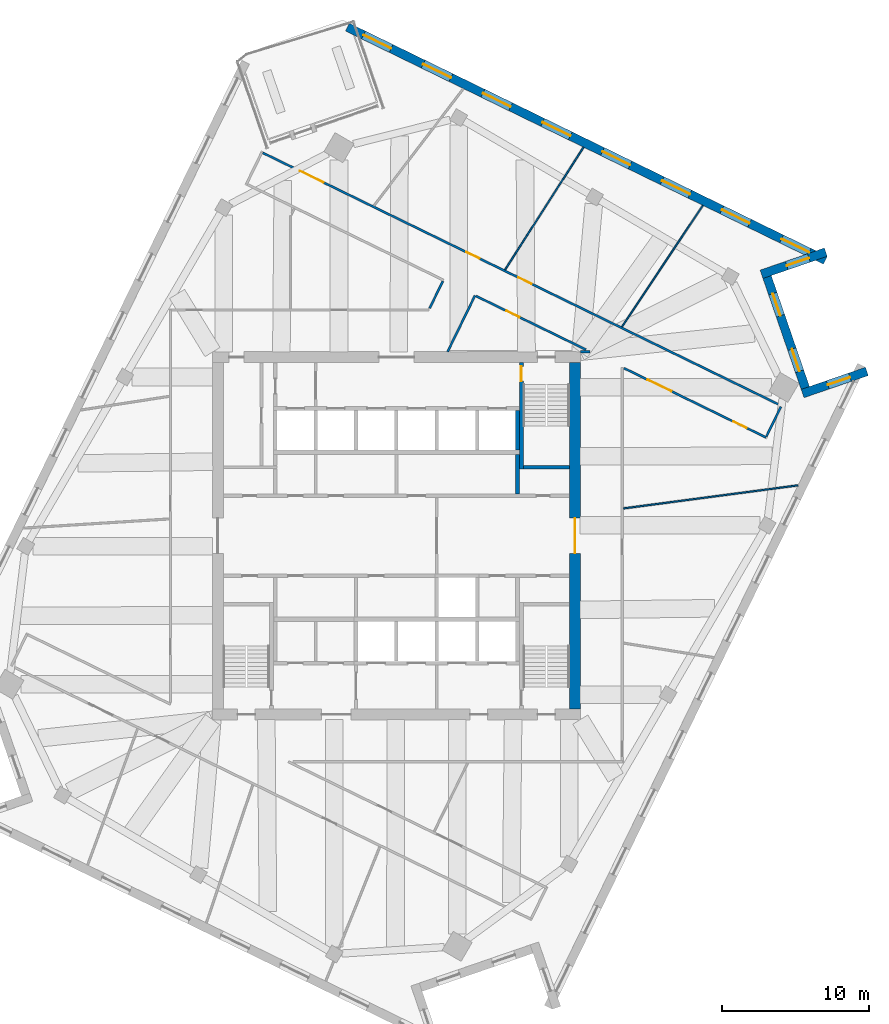
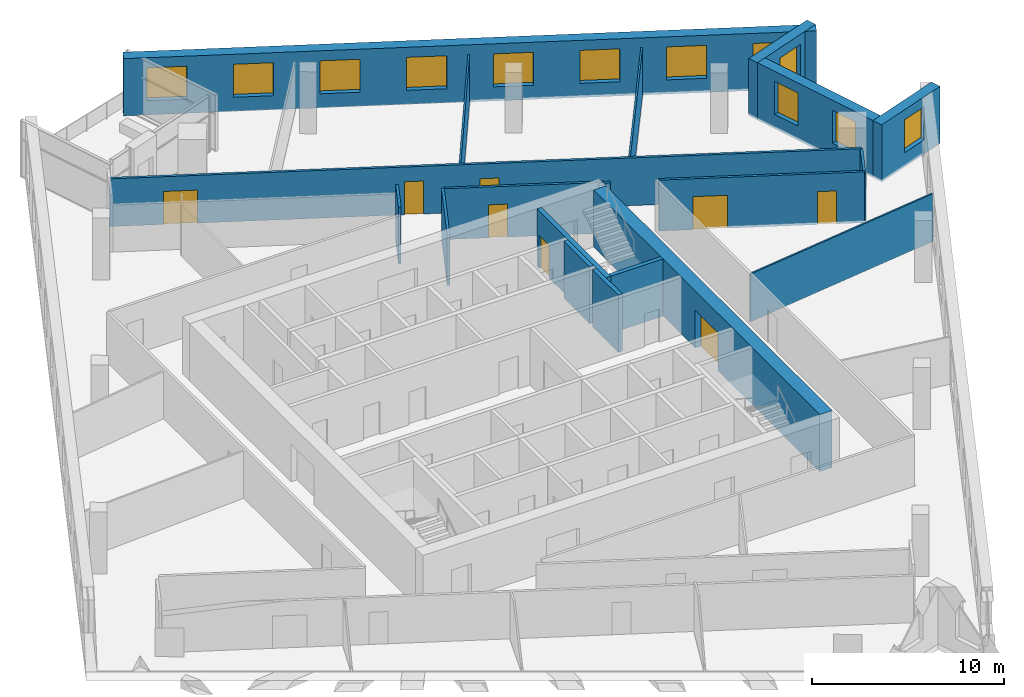
# One storey, part 10 of 13: 19 walls, 12 windows, 8 doors, 20 openings.
"""IFC4 building model written with IfcOpenShell, lengths in metres."""

from ifc_helpers import new_model, si_unit, direction, frame, frame_2d, origin, place, context, subcontext, project, spatial, rectangle, extrude, material, layer, layer_set, type_object, element, fill, save


model = new_model("IFC4")

# Units and contexts
model_context = context("Model", 3, precision=1e-05, world=origin(), true_north=direction((0.0, 1.0)))
body_context = subcontext(model_context, "Body", "Model", "MODEL_VIEW")
ifc_project = project(units=[si_unit("LENGTHUNIT", "METRE"), si_unit("AREAUNIT", "SQUARE_METRE"), si_unit("VOLUMEUNIT", "CUBIC_METRE"), si_unit("PLANEANGLEUNIT", "RADIAN"), si_unit("MASSUNIT", "GRAM", prefix="KILO")], contexts=[model_context])

# Site, building, storey
site_placement = place(None, origin())
site = spatial("IfcSite", under=ifc_project, at=site_placement, CompositionType="ELEMENT")
building_placement = place(site_placement, origin())
building = spatial("IfcBuilding", under=site, at=building_placement, Name="Dilmun Exchange Tower", CompositionType="ELEMENT")
storey_placement = place(building_placement, frame((0.0, 0.0, 286.89990234375)))
storey = spatial("IfcBuildingStorey", under=building, at=storey_placement, Name="L68", CompositionType="ELEMENT", Elevation=286.89990234375)

# Wall
ifc_material_1 = material(Name="Concrete C40/50", Category="concrete")
ifc_layer_1 = layer(ifc_material_1, 0.25)
ifc_layer_set_1 = layer_set([ifc_layer_1], Name="Concrete C40/50")
wall_type_1 = type_object("IfcWallType", Name="Core partition wall 250", PredefinedType="PARTITIONING", material=ifc_layer_set_1)
wall_1_placement = place(storey_placement, frame((8.25, 2.85498046875, 0.0), z_axis=(0.0, 0.0, 1.0), x_axis=(0.0, 1.0, 0.0)))
element("IfcWall", 1, at=wall_1_placement, inside=storey, type_object=wall_type_1, Name="L68 core partition wall 17", PredefinedType="PARTITIONING", context=body_context, shape_type="SweptSolid", body=[
    extrude(rectangle(XDim=2.68994140625, YDim=0.25, at=frame_2d((1.344970703125, 0.0))), origin(), (0.0, 0.0, 1.0), 3.64013671875),
])

# Wall, opening, door
ifc_material_2 = material(Name="Concrete C50/60", Category="concrete")
ifc_layer_2 = layer(ifc_material_2, 0.75)
ifc_layer_set_2 = layer_set([ifc_layer_2], Name="Concrete C50/60")
wall_type_2 = type_object("IfcWallType", Name="Core shear wall 750 Concrete C50/60", PredefinedType="SHEAR", material=ifc_layer_set_2)
wall_2_placement = place(storey_placement, frame((12.175048828125, -11.800048828125, 0.0), z_axis=(0.0, 0.0, 1.0), x_axis=(0.0, 1.0, 0.0)))
wall_2 = element("IfcWall", 2, at=wall_2_placement, inside=storey, type_object=wall_type_2, Name="L68 core shear wall E", PredefinedType="SHEAR", context=body_context, shape_type="SweptSolid", body=[
    extrude(rectangle(XDim=23.60009765625, YDim=0.75, at=frame_2d((11.800048828125, 0.0))), origin(), (0.0, 0.0, 1.0), 3.64013671875),
])
opening_1_placement = place(wall_2_placement, frame((10.60009765625, 0.0, 0.0)))
opening_1 = element("IfcOpeningElement", 3, at=opening_1_placement, cuts=wall_2, Name="Opening CD1", PredefinedType="OPENING", context=body_context, shape_type="SweptSolid", body=[
    extrude(rectangle(XDim=2.39990234375, YDim=2.39990234375, at=frame_2d((1.199951171875, 1.199951171875))), frame((0.0, 0.385009765625, 0.0), z_axis=(0.0, -1.0, 0.0), x_axis=(1.0, 0.0, 0.0)), (0.0, 0.0, 1.0), 0.77001953125),
])
ifc_material_3 = material(Name="Fire-rated steel door set", Category="steel")
door_type_1 = type_object("IfcDoorType", Name="Core lobby door 2400x2400", OperationType="DOUBLE_DOOR_DOUBLE_SWING", PredefinedType="DOOR", material=ifc_material_3)
door_1_placement = place(opening_1_placement, origin())
door_1 = element("IfcDoor", 4, at=door_1_placement, inside=storey, type_object=door_type_1, Name="L68 door Central lift lobby", OperationType="SINGLE_SWING_LEFT", OverallHeight=2.39990234375, OverallWidth=2.39990234375, PredefinedType="DOOR", context=body_context, shape_type="SweptSolid", body=[
    extrude(rectangle(XDim=2.39990234375, YDim=2.39990234375, at=frame_2d((1.199951171875, 1.199951171875))), frame((0.0, 0.02490234375, 0.0), z_axis=(0.0, -1.0, 0.0), x_axis=(1.0, 0.0, 0.0)), (0.0, 0.0, 1.0), 0.050048828125),
])
fill(opening_1, door_1)

# Wall, openings, doors
ifc_material_4 = material(Name="Corridor wall 150")
ifc_layer_3 = layer(ifc_material_4, 0.14990234375)
ifc_layer_set_3 = layer_set([ifc_layer_3], Name="Corridor wall 150")
wall_type_3 = type_object("IfcWallType", Name="Corridor wall 150", PredefinedType="PARTITIONING", material=ifc_layer_set_3)
wall_3_placement = place(storey_placement, frame((-9.103515625, 26.10400390625, 0.0), z_axis=(0.0, 0.0, 1.0), x_axis=(0.898795233888, -0.438368711864, 0.0)))
wall_3 = element("IfcWall", 5, at=wall_3_placement, inside=storey, type_object=wall_type_3, Name="Corridor wall", PredefinedType="PARTITIONING", context=body_context, shape_type="SweptSolid", body=[
    extrude(rectangle(XDim=39.325439453125, YDim=0.14990234375, at=frame_2d((19.66259765625, 0.0))), origin(), (0.0, 0.0, 1.0), 3.0400390625),
])
opening_2_placement = place(wall_3_placement, frame((2.800048828125, 0.0, 0.0)))
opening_2 = element("IfcOpeningElement", 6, at=opening_2_placement, cuts=wall_3, Name="Opening TF67-D05", PredefinedType="OPENING", context=body_context, shape_type="SweptSolid", body=[
    extrude(rectangle(XDim=1.800048828125, YDim=2.10009765625, at=frame_2d((0.89990234375, 1.050048828125))), frame((0.0, 0.0849609375, 0.0), z_axis=(0.0, -1.0, 0.0), x_axis=(1.0, 0.0, 0.0)), (0.0, 0.0, 1.0), 0.169921875),
])
opening_3_placement = place(wall_3_placement, frame((15.418701171875, 0.0, 0.0)))
opening_3 = element("IfcOpeningElement", 7, at=opening_3_placement, cuts=wall_3, Name="Opening TF67-D10", PredefinedType="OPENING", context=body_context, shape_type="SweptSolid", body=[
    extrude(rectangle(XDim=1.0, YDim=2.10009765625, at=frame_2d((0.5, 1.050048828125))), frame((0.0, 0.0849609375, 0.0), z_axis=(0.0, -1.0, 0.0), x_axis=(1.0, 0.0, 0.0)), (0.0, 0.0, 1.0), 0.169921875),
])
opening_4_placement = place(wall_3_placement, frame((19.371337890625, 0.0, 0.0)))
opening_4 = element("IfcOpeningElement", 8, at=opening_4_placement, cuts=wall_3, Name="Opening TF67-D14", PredefinedType="OPENING", context=body_context, shape_type="SweptSolid", body=[
    extrude(rectangle(XDim=1.0, YDim=2.10009765625, at=frame_2d((0.5, 1.050048828125))), frame((0.0, 0.0849609375, 0.0), z_axis=(0.0, -1.0, 0.0), x_axis=(1.0, 0.0, 0.0)), (0.0, 0.0, 1.0), 0.169921875),
])
ifc_material_5 = material(Name="Fire door 1000 x 2100")
door_type_2 = type_object("IfcDoorType", Name="Fire door 1000 x 2100", OperationType="NOTDEFINED", PredefinedType="DOOR", material=ifc_material_5)
door_2_placement = place(opening_3_placement, origin())
door_2 = element("IfcDoor", 9, at=door_2_placement, inside=storey, type_object=door_type_2, Name="Door TF67-D10", OperationType="SINGLE_SWING_LEFT", OverallHeight=2.10009765625, OverallWidth=1.0, PredefinedType="DOOR", context=body_context, shape_type="SweptSolid", body=[
    extrude(rectangle(XDim=1.0, YDim=2.10009765625, at=frame_2d((0.5, 1.050048828125))), frame((0.0, 0.02490234375, 0.0), z_axis=(0.0, -1.0, 0.0), x_axis=(1.0, 0.0, 0.0)), (0.0, 0.0, 1.0), 0.050048828125),
])
fill(opening_3, door_2)
door_3_placement = place(opening_4_placement, origin())
door_3 = element("IfcDoor", 10, at=door_3_placement, inside=storey, type_object=door_type_2, Name="Door TF67-D14", OperationType="SINGLE_SWING_RIGHT", OverallHeight=2.10009765625, OverallWidth=1.0, PredefinedType="DOOR", context=body_context, shape_type="SweptSolid", body=[
    extrude(rectangle(XDim=1.0, YDim=2.10009765625, at=frame_2d((0.5, 1.050048828125))), frame((0.0, 0.02490234375, 0.0), z_axis=(0.0, -1.0, 0.0), x_axis=(1.0, 0.0, 0.0)), (0.0, 0.0, 1.0), 0.050048828125),
])
fill(opening_4, door_3)
ifc_material_6 = material(Name="Fire door pair 1800 x 2100")
door_type_3 = type_object("IfcDoorType", Name="Fire door pair 1800 x 2100", OperationType="NOTDEFINED", PredefinedType="DOOR", material=ifc_material_6)
door_4_placement = place(opening_2_placement, origin())
door_4 = element("IfcDoor", 11, at=door_4_placement, inside=storey, type_object=door_type_3, Name="Door TF67-D05", OperationType="DOUBLE_DOOR_SINGLE_SWING", OverallHeight=2.10009765625, OverallWidth=1.800048828125, PredefinedType="DOOR", context=body_context, shape_type="SweptSolid", body=[
    extrude(rectangle(XDim=1.800048828125, YDim=2.10009765625, at=frame_2d((0.89990234375, 1.050048828125))), frame((0.0, 0.02490234375, 0.0), z_axis=(0.0, -1.0, 0.0), x_axis=(1.0, 0.0, 0.0)), (0.0, 0.0, 1.0), 0.050048828125),
])
fill(opening_2, door_4)

# Walls
wall_4_placement = place(storey_placement, frame((2.2626953125, 15.5078125, 0.0), z_axis=(0.0, 0.0, 1.0), x_axis=(0.438351446917, 0.898803654301, 0.0)))
element("IfcWall", 12, at=wall_4_placement, inside=storey, type_object=wall_type_3, Name="Corridor wall", PredefinedType="PARTITIONING", context=body_context, shape_type="SweptSolid", body=[
    extrude(rectangle(XDim=2.065673828125, YDim=0.14990234375, at=frame_2d((1.03271484375, 0.0))), origin(), (0.0, 0.0, 1.0), 3.64013671875),
])
wall_5_placement = place(storey_placement, frame((3.489990234375, 12.550048828125, 0.0), z_axis=(0.0, 0.0, 1.0), x_axis=(0.438553431108, 0.898705117412, 0.0)))
element("IfcWall", 13, at=wall_5_placement, inside=storey, type_object=wall_type_3, Name="Corridor wall", PredefinedType="PARTITIONING", context=body_context, shape_type="SweptSolid", body=[
    extrude(rectangle(XDim=4.261474609375, YDim=0.14990234375, at=frame_2d((2.130859375, 0.0))), origin(), (0.0, 0.0, 1.0), 3.239990234375),
])

# Wall, opening, door
wall_6_placement = place(storey_placement, frame((5.426513671875, 16.34716796875, 0.0), z_axis=(0.0, 0.0, 1.0), x_axis=(0.898771260275, -0.43841786198, 0.0)))
wall_6 = element("IfcWall", 14, at=wall_6_placement, inside=storey, type_object=wall_type_3, Name="Corridor wall", PredefinedType="PARTITIONING", context=body_context, shape_type="SweptSolid", body=[
    extrude(rectangle(XDim=8.33642578125, YDim=0.14990234375, at=frame_2d((4.168212890625, 0.0))), origin(), (0.0, 0.0, 1.0), 3.239990234375),
])
opening_5_placement = place(wall_6_placement, frame((2.300048828125, 0.0, 0.0)))
opening_5 = element("IfcOpeningElement", 15, at=opening_5_placement, cuts=wall_6, Name="Opening TF67-D11", PredefinedType="OPENING", context=body_context, shape_type="SweptSolid", body=[
    extrude(rectangle(XDim=1.0, YDim=2.10009765625, at=frame_2d((0.5, 1.050048828125))), frame((0.0, 0.0849609375, 0.0), z_axis=(0.0, -1.0, 0.0), x_axis=(1.0, 0.0, 0.0)), (0.0, 0.0, 1.0), 0.169921875),
])
door_5_placement = place(opening_5_placement, frame((1.0, 0.0, 0.0), z_axis=(0.0, 0.0, 1.0), x_axis=(-1.0, 0.0, 0.0)))
door_5 = element("IfcDoor", 16, at=door_5_placement, inside=storey, type_object=door_type_2, Name="Door TF67-D11", OperationType="SINGLE_SWING_RIGHT", OverallHeight=2.10009765625, OverallWidth=1.0, PredefinedType="DOOR", context=body_context, shape_type="SweptSolid", body=[
    extrude(rectangle(XDim=1.0, YDim=2.10009765625, at=frame_2d((0.5, 1.050048828125))), frame((0.0, 0.02490234375, 0.0), z_axis=(0.0, -1.0, 0.0), x_axis=(1.0, 0.0, 0.0)), (0.0, 0.0, 1.0), 0.050048828125),
])
fill(opening_5, door_5)

# Wall
wall_7_placement = place(storey_placement, frame((12.550048828125, 12.550048828125, 0.0), z_axis=(0.0, 0.0, 1.0), x_axis=(1.0, 0.0, 0.0)))
element("IfcWall", 17, at=wall_7_placement, inside=storey, type_object=wall_type_3, Name="Corridor wall", PredefinedType="PARTITIONING", context=body_context, shape_type="SweptSolid", body=[
    extrude(rectangle(XDim=0.660888671875, YDim=0.14990234375, at=frame_2d((0.33056640625, 0.0))), origin(), (0.0, 0.0, 1.0), 3.239990234375),
])

# Wall, openings, doors
wall_8_placement = place(storey_placement, frame((15.5078125, 11.430419921875, 0.0), z_axis=(0.0, 0.0, 1.0), x_axis=(0.898789572526, -0.438380319264, 0.0)))
wall_8 = element("IfcWall", 18, at=wall_8_placement, inside=storey, type_object=wall_type_3, Name="Corridor wall", PredefinedType="PARTITIONING", context=body_context, shape_type="SweptSolid", body=[
    extrude(rectangle(XDim=10.7724609375, YDim=0.14990234375, at=frame_2d((5.38623046875, 0.0))), origin(), (0.0, 0.0, 1.0), 3.239990234375),
])
opening_6_placement = place(wall_8_placement, frame((1.800048828125, 0.0, 0.0)))
opening_6 = element("IfcOpeningElement", 19, at=opening_6_placement, cuts=wall_8, Name="Opening TF67-D16", PredefinedType="OPENING", context=body_context, shape_type="SweptSolid", body=[
    extrude(rectangle(XDim=1.800048828125, YDim=2.10009765625, at=frame_2d((0.89990234375, 1.050048828125))), frame((0.0, 0.0849609375, 0.0), z_axis=(0.0, -1.0, 0.0), x_axis=(1.0, 0.0, 0.0)), (0.0, 0.0, 1.0), 0.169921875),
])
opening_7_placement = place(wall_8_placement, frame((8.300048828125, 0.0, 0.0)))
opening_7 = element("IfcOpeningElement", 20, at=opening_7_placement, cuts=wall_8, Name="Opening TF67-D17", PredefinedType="OPENING", context=body_context, shape_type="SweptSolid", body=[
    extrude(rectangle(XDim=1.0, YDim=2.10009765625, at=frame_2d((0.5, 1.050048828125))), frame((0.0, 0.0849609375, 0.0), z_axis=(0.0, -1.0, 0.0), x_axis=(1.0, 0.0, 0.0)), (0.0, 0.0, 1.0), 0.169921875),
])
door_6_placement = place(opening_7_placement, frame((1.0, 0.0, 0.0), z_axis=(0.0, 0.0, 1.0), x_axis=(-1.0, 0.0, 0.0)))
door_6 = element("IfcDoor", 21, at=door_6_placement, inside=storey, type_object=door_type_2, Name="Door TF67-D17", OperationType="SINGLE_SWING_RIGHT", OverallHeight=2.10009765625, OverallWidth=1.0, PredefinedType="DOOR", context=body_context, shape_type="SweptSolid", body=[
    extrude(rectangle(XDim=1.0, YDim=2.10009765625, at=frame_2d((0.5, 1.050048828125))), frame((0.0, 0.02490234375, 0.0), z_axis=(0.0, -1.0, 0.0), x_axis=(1.0, 0.0, 0.0)), (0.0, 0.0, 1.0), 0.050048828125),
])
fill(opening_7, door_6)
door_7_placement = place(opening_6_placement, frame((1.800048828125, 0.0, 0.0), z_axis=(0.0, 0.0, 1.0), x_axis=(-1.0, 0.0, 0.0)))
door_7 = element("IfcDoor", 22, at=door_7_placement, inside=storey, type_object=door_type_3, Name="Door TF67-D16", OperationType="DOUBLE_DOOR_SINGLE_SWING", OverallHeight=2.10009765625, OverallWidth=1.800048828125, PredefinedType="DOOR", context=body_context, shape_type="SweptSolid", body=[
    extrude(rectangle(XDim=1.800048828125, YDim=2.10009765625, at=frame_2d((0.89990234375, 1.050048828125))), frame((0.0, 0.02490234375, 0.0), z_axis=(0.0, -1.0, 0.0), x_axis=(1.0, 0.0, 0.0)), (0.0, 0.0, 1.0), 0.050048828125),
])
fill(opening_6, door_7)

# Walls
wall_9_placement = place(storey_placement, frame((25.222900390625, 6.775390625, 0.0), z_axis=(0.0, 0.0, 1.0), x_axis=(0.438293210917, 0.898832053981, 0.0)))
element("IfcWall", 23, at=wall_9_placement, inside=storey, type_object=wall_type_3, Name="Corridor wall", PredefinedType="PARTITIONING", context=body_context, shape_type="SweptSolid", body=[
    extrude(rectangle(XDim=2.249755859375, YDim=0.14990234375, at=frame_2d((1.125, 0.0))), origin(), (0.0, 0.0, 1.0), 3.0400390625),
])
ifc_layer_4 = layer(ifc_material_1, 0.25)
ifc_layer_set_4 = layer_set([ifc_layer_4], Name="Concrete C40/50")
wall_type_4 = type_object("IfcWallType", Name="Lift shaft wall 250", PredefinedType="SOLIDWALL", material=ifc_layer_set_4)
wall_10_placement = place(storey_placement, frame((8.25, 5.85009765625, 0.0), z_axis=(0.0, 0.0, 1.0), x_axis=(0.0, 1.0, 0.0)))
element("IfcWall", 24, at=wall_10_placement, inside=storey, type_object=wall_type_4, Name="L68 lift shaft divider N26", PredefinedType="SOLIDWALL", context=body_context, shape_type="SweptSolid", body=[
    extrude(rectangle(XDim=2.699951171875, YDim=0.25, at=frame_2d((1.35009765625, 0.0))), origin(), (0.0, 0.0, 1.0), 3.64013671875),
])
ifc_material_7 = material(Name="Partition 100")
ifc_layer_5 = layer(ifc_material_7, 0.10009765625)
ifc_layer_set_5 = layer_set([ifc_layer_5], Name="Partition 100")
wall_type_5 = type_object("IfcWallType", Name="Partition 100", PredefinedType="PARTITIONING", material=ifc_layer_set_5)
wall_11_placement = place(storey_placement, frame((7.407958984375, 18.140380859375, 0.0), z_axis=(0.0, 0.0, 1.0), x_axis=(0.539403798029, 0.842047233041, 0.0)))
element("IfcWall", 25, at=wall_11_placement, inside=storey, type_object=wall_type_5, Name="Partition", PredefinedType="PARTITIONING", context=body_context, shape_type="SweptSolid", body=[
    extrude(rectangle(XDim=9.91259765625, YDim=0.10009765625, at=frame_2d((4.956298828125, 0.0))), origin(), (0.0, 0.0, 1.0), 3.0400390625),
])
wall_12_placement = place(storey_placement, frame((15.379638671875, 14.253662109375, 0.0), z_axis=(0.0, 0.0, 1.0), x_axis=(0.554513024901, 0.832175044816, 0.0)))
element("IfcWall", 26, at=wall_12_placement, inside=storey, type_object=wall_type_5, Name="Partition", PredefinedType="PARTITIONING", context=body_context, shape_type="SweptSolid", body=[
    extrude(rectangle(XDim=9.93408203125, YDim=0.10009765625, at=frame_2d((4.967041015625, 0.0))), origin(), (0.0, 0.0, 1.0), 3.0400390625),
])
wall_13_placement = place(storey_placement, frame((15.481689453125, 1.867919921875, 0.0), z_axis=(0.0, 0.0, 1.0), x_axis=(0.991377248415, 0.131038739785, 0.0)))
element("IfcWall", 27, at=wall_13_placement, inside=storey, type_object=wall_type_5, Name="Partition", PredefinedType="PARTITIONING", context=body_context, shape_type="SweptSolid", body=[
    extrude(rectangle(XDim=11.99853515625, YDim=0.10009765625, at=frame_2d((5.999267578125, 0.0))), origin(), (0.0, 0.0, 1.0), 3.0400390625),
])

# Wall, opening, window
ifc_material_8 = material(Name="Precast concrete C50/60", Category="concrete")
ifc_layer_6 = layer(ifc_material_8, 0.60009765625)
ifc_layer_set_6 = layer_set([ifc_layer_6], Name="Precast concrete C50/60")
wall_type_6 = type_object("IfcWallType", Name="Precast stone-clad wall 600", PredefinedType="STANDARD", material=ifc_layer_set_6)
wall_14_placement = place(storey_placement, frame((32.0703125, 11.206298828125, 0.0), z_axis=(0.0, 0.0, 1.0), x_axis=(-0.945524563242, -0.325550764561, 0.0)))
wall_14 = element("IfcWall", 28, at=wall_14_placement, inside=storey, type_object=wall_type_6, Name="Facade wall L68-12", PredefinedType="STANDARD", context=body_context, shape_type="SweptSolid", body=[
    extrude(rectangle(XDim=4.63525390625, YDim=0.60009765625, at=frame_2d((2.317626953125, 0.0))), origin(), (0.0, 0.0, 1.0), 3.64013671875),
])
opening_8_placement = place(wall_14_placement, frame((1.2177734375, 0.0, 0.89990234375)))
opening_8 = element("IfcOpeningElement", 29, at=opening_8_placement, cuts=wall_14, Name="Opening W160-210", PredefinedType="OPENING", context=body_context, shape_type="SweptSolid", body=[
    extrude(rectangle(XDim=1.60009765625, YDim=2.10009765625, at=frame_2d((0.800048828125, 1.050048828125))), frame((0.0, 0.31005859375, 0.0), z_axis=(0.0, -1.0, 0.0), x_axis=(1.0, 0.0, 0.0)), (0.0, 0.0, 1.0), 0.6201171875),
])
ifc_material_9 = material(Name="Clear low-emissivity glass in aluminium frame", Category="aluminium")
window_type_1 = type_object("IfcWindowType", Name="Punched window 1600 x 2100", PartitioningType="DOUBLE_PANEL_VERTICAL", PredefinedType="WINDOW", material=ifc_material_9)
window_1_placement = place(opening_8_placement, origin())
window_1 = element("IfcWindow", 30, at=window_1_placement, inside=storey, type_object=window_type_1, Name="Window 13.1", OverallHeight=2.10009765625, OverallWidth=1.60009765625, PartitioningType="SINGLE_PANEL", PredefinedType="WINDOW", context=body_context, shape_type="SweptSolid", body=[
    extrude(rectangle(XDim=1.60009765625, YDim=2.10009765625, at=frame_2d((0.800048828125, 1.050048828125))), frame((0.0, 0.030029296875, 0.0), z_axis=(0.0, -1.0, 0.0), x_axis=(1.0, 0.0, 0.0)), (0.0, 0.0, 1.0), 0.06005859375),
])
fill(opening_8, window_1)

# Wall, openings, windows
wall_15_placement = place(storey_placement, frame((27.873291015625, 10.07861328125, 0.0), z_axis=(0.0, 0.0, 1.0), x_axis=(-0.325569297229, 0.945518182111, 0.0)))
wall_15 = element("IfcWall", 31, at=wall_15_placement, inside=storey, type_object=wall_type_6, Name="Facade wall L68-13", PredefinedType="STANDARD", context=body_context, shape_type="SweptSolid", body=[
    extrude(rectangle(XDim=7.999755859375, YDim=0.60009765625, at=frame_2d((4.0, 0.0))), origin(), (0.0, 0.0, 1.0), 3.64013671875),
])
opening_9_placement = place(wall_15_placement, frame((1.199951171875, 0.0, 0.89990234375)))
opening_9 = element("IfcOpeningElement", 32, at=opening_9_placement, cuts=wall_15, Name="Opening W160-210", PredefinedType="OPENING", context=body_context, shape_type="SweptSolid", body=[
    extrude(rectangle(XDim=1.60009765625, YDim=2.10009765625, at=frame_2d((0.800048828125, 1.050048828125))), frame((0.0, 0.31005859375, 0.0), z_axis=(0.0, -1.0, 0.0), x_axis=(1.0, 0.0, 0.0)), (0.0, 0.0, 1.0), 0.6201171875),
])
opening_10_placement = place(wall_15_placement, frame((5.199951171875, 0.0, 0.89990234375)))
opening_10 = element("IfcOpeningElement", 33, at=opening_10_placement, cuts=wall_15, Name="Opening W160-210", PredefinedType="OPENING", context=body_context, shape_type="SweptSolid", body=[
    extrude(rectangle(XDim=1.60009765625, YDim=2.10009765625, at=frame_2d((0.800048828125, 1.050048828125))), frame((0.0, 0.31005859375, 0.0), z_axis=(0.0, -1.0, 0.0), x_axis=(1.0, 0.0, 0.0)), (0.0, 0.0, 1.0), 0.6201171875),
])
window_2_placement = place(opening_9_placement, origin())
window_2 = element("IfcWindow", 34, at=window_2_placement, inside=storey, type_object=window_type_1, Name="Window 14.1", OverallHeight=2.10009765625, OverallWidth=1.60009765625, PartitioningType="SINGLE_PANEL", PredefinedType="WINDOW", context=body_context, shape_type="SweptSolid", body=[
    extrude(rectangle(XDim=1.60009765625, YDim=2.10009765625, at=frame_2d((0.800048828125, 1.050048828125))), frame((0.0, 0.030029296875, 0.0), z_axis=(0.0, -1.0, 0.0), x_axis=(1.0, 0.0, 0.0)), (0.0, 0.0, 1.0), 0.06005859375),
])
fill(opening_9, window_2)
window_3_placement = place(opening_10_placement, origin())
window_3 = element("IfcWindow", 35, at=window_3_placement, inside=storey, type_object=window_type_1, Name="Window 14.2", OverallHeight=2.10009765625, OverallWidth=1.60009765625, PartitioningType="SINGLE_PANEL", PredefinedType="WINDOW", context=body_context, shape_type="SweptSolid", body=[
    extrude(rectangle(XDim=1.60009765625, YDim=2.10009765625, at=frame_2d((0.800048828125, 1.050048828125))), frame((0.0, 0.030029296875, 0.0), z_axis=(0.0, -1.0, 0.0), x_axis=(1.0, 0.0, 0.0)), (0.0, 0.0, 1.0), 0.06005859375),
])
fill(opening_10, window_3)

# Wall, opening, window
wall_16_placement = place(storey_placement, frame((24.8876953125, 17.82861328125, 0.0), z_axis=(0.0, 0.0, 1.0), x_axis=(0.945508349791, 0.325597850847, 0.0)))
wall_16 = element("IfcWall", 36, at=wall_16_placement, inside=storey, type_object=wall_type_6, Name="Facade wall L68-14", PredefinedType="STANDARD", context=body_context, shape_type="SweptSolid", body=[
    extrude(rectangle(XDim=4.635498046875, YDim=0.60009765625, at=frame_2d((2.31787109375, 0.0))), origin(), (0.0, 0.0, 1.0), 3.64013671875),
])
opening_11_placement = place(wall_16_placement, frame((1.81787109375, 0.0, 0.89990234375)))
opening_11 = element("IfcOpeningElement", 37, at=opening_11_placement, cuts=wall_16, Name="Opening W160-210", PredefinedType="OPENING", context=body_context, shape_type="SweptSolid", body=[
    extrude(rectangle(XDim=1.60009765625, YDim=2.10009765625, at=frame_2d((0.800048828125, 1.050048828125))), frame((0.0, 0.31005859375, 0.0), z_axis=(0.0, -1.0, 0.0), x_axis=(1.0, 0.0, 0.0)), (0.0, 0.0, 1.0), 0.6201171875),
])
window_4_placement = place(opening_11_placement, origin())
window_4 = element("IfcWindow", 38, at=window_4_placement, inside=storey, type_object=window_type_1, Name="Window 15.1", OverallHeight=2.10009765625, OverallWidth=1.60009765625, PartitioningType="SINGLE_PANEL", PredefinedType="WINDOW", context=body_context, shape_type="SweptSolid", body=[
    extrude(rectangle(XDim=1.60009765625, YDim=2.10009765625, at=frame_2d((0.800048828125, 1.050048828125))), frame((0.0, 0.030029296875, 0.0), z_axis=(0.0, -1.0, 0.0), x_axis=(1.0, 0.0, 0.0)), (0.0, 0.0, 1.0), 0.06005859375),
])
fill(opening_11, window_4)

# Wall, openings, windows
wall_17_placement = place(storey_placement, frame((29.23681640625, 18.78466796875, 0.0), z_axis=(0.0, 0.0, 1.0), x_axis=(-0.898794534192, 0.438370146458, 0.0)))
wall_17 = element("IfcWall", 39, at=wall_17_placement, inside=storey, type_object=wall_type_6, Name="Facade wall L68-15", PredefinedType="STANDARD", context=body_context, shape_type="SweptSolid", body=[
    extrude(rectangle(XDim=36.2431640625, YDim=0.60009765625, at=frame_2d((18.12158203125, 0.0))), origin(), (0.0, 0.0, 1.0), 3.64013671875),
])
opening_12_placement = place(wall_17_placement, frame((1.215087890625, 0.0, 0.89990234375)))
opening_12 = element("IfcOpeningElement", 40, at=opening_12_placement, cuts=wall_17, Name="Opening W210-210", PredefinedType="OPENING", context=body_context, shape_type="SweptSolid", body=[
    extrude(rectangle(XDim=2.10009765625, YDim=2.10009765625, at=frame_2d((1.050048828125, 1.050048828125))), frame((0.0, 0.31005859375, 0.0), z_axis=(0.0, -1.0, 0.0), x_axis=(1.0, 0.0, 0.0)), (0.0, 0.0, 1.0), 0.6201171875),
])
opening_13_placement = place(wall_17_placement, frame((5.74560546875, 0.0, 0.89990234375)))
opening_13 = element("IfcOpeningElement", 41, at=opening_13_placement, cuts=wall_17, Name="Opening W210-210", PredefinedType="OPENING", context=body_context, shape_type="SweptSolid", body=[
    extrude(rectangle(XDim=2.10009765625, YDim=2.10009765625, at=frame_2d((1.050048828125, 1.050048828125))), frame((0.0, 0.31005859375, 0.0), z_axis=(0.0, -1.0, 0.0), x_axis=(1.0, 0.0, 0.0)), (0.0, 0.0, 1.0), 0.6201171875),
])
opening_14_placement = place(wall_17_placement, frame((10.27587890625, 0.0, 0.89990234375)))
opening_14 = element("IfcOpeningElement", 42, at=opening_14_placement, cuts=wall_17, Name="Opening W210-210", PredefinedType="OPENING", context=body_context, shape_type="SweptSolid", body=[
    extrude(rectangle(XDim=2.10009765625, YDim=2.10009765625, at=frame_2d((1.050048828125, 1.050048828125))), frame((0.0, 0.31005859375, 0.0), z_axis=(0.0, -1.0, 0.0), x_axis=(1.0, 0.0, 0.0)), (0.0, 0.0, 1.0), 0.6201171875),
])
opening_15_placement = place(wall_17_placement, frame((14.806396484375, 0.0, 0.89990234375)))
opening_15 = element("IfcOpeningElement", 43, at=opening_15_placement, cuts=wall_17, Name="Opening W210-210", PredefinedType="OPENING", context=body_context, shape_type="SweptSolid", body=[
    extrude(rectangle(XDim=2.10009765625, YDim=2.10009765625, at=frame_2d((1.050048828125, 1.050048828125))), frame((0.0, 0.31005859375, 0.0), z_axis=(0.0, -1.0, 0.0), x_axis=(1.0, 0.0, 0.0)), (0.0, 0.0, 1.0), 0.6201171875),
])
opening_16_placement = place(wall_17_placement, frame((19.3369140625, 0.0, 0.89990234375)))
opening_16 = element("IfcOpeningElement", 44, at=opening_16_placement, cuts=wall_17, Name="Opening W210-210", PredefinedType="OPENING", context=body_context, shape_type="SweptSolid", body=[
    extrude(rectangle(XDim=2.10009765625, YDim=2.10009765625, at=frame_2d((1.050048828125, 1.050048828125))), frame((0.0, 0.31005859375, 0.0), z_axis=(0.0, -1.0, 0.0), x_axis=(1.0, 0.0, 0.0)), (0.0, 0.0, 1.0), 0.6201171875),
])
opening_17_placement = place(wall_17_placement, frame((23.8671875, 0.0, 0.89990234375)))
opening_17 = element("IfcOpeningElement", 45, at=opening_17_placement, cuts=wall_17, Name="Opening W210-210", PredefinedType="OPENING", context=body_context, shape_type="SweptSolid", body=[
    extrude(rectangle(XDim=2.10009765625, YDim=2.10009765625, at=frame_2d((1.050048828125, 1.050048828125))), frame((0.0, 0.31005859375, 0.0), z_axis=(0.0, -1.0, 0.0), x_axis=(1.0, 0.0, 0.0)), (0.0, 0.0, 1.0), 0.6201171875),
])
opening_18_placement = place(wall_17_placement, frame((28.397705078125, 0.0, 0.89990234375)))
opening_18 = element("IfcOpeningElement", 46, at=opening_18_placement, cuts=wall_17, Name="Opening W210-210", PredefinedType="OPENING", context=body_context, shape_type="SweptSolid", body=[
    extrude(rectangle(XDim=2.10009765625, YDim=2.10009765625, at=frame_2d((1.050048828125, 1.050048828125))), frame((0.0, 0.31005859375, 0.0), z_axis=(0.0, -1.0, 0.0), x_axis=(1.0, 0.0, 0.0)), (0.0, 0.0, 1.0), 0.6201171875),
])
opening_19_placement = place(wall_17_placement, frame((32.927978515625, 0.0, 0.89990234375)))
opening_19 = element("IfcOpeningElement", 47, at=opening_19_placement, cuts=wall_17, Name="Opening W210-210", PredefinedType="OPENING", context=body_context, shape_type="SweptSolid", body=[
    extrude(rectangle(XDim=2.10009765625, YDim=2.10009765625, at=frame_2d((1.050048828125, 1.050048828125))), frame((0.0, 0.31005859375, 0.0), z_axis=(0.0, -1.0, 0.0), x_axis=(1.0, 0.0, 0.0)), (0.0, 0.0, 1.0), 0.6201171875),
])
window_type_2 = type_object("IfcWindowType", Name="Punched window 2100 x 2100", PartitioningType="DOUBLE_PANEL_VERTICAL", PredefinedType="WINDOW", material=ifc_material_9)
window_5_placement = place(opening_12_placement, origin())
window_5 = element("IfcWindow", 48, at=window_5_placement, inside=storey, type_object=window_type_2, Name="Window 16.1", OverallHeight=2.10009765625, OverallWidth=2.10009765625, PartitioningType="SINGLE_PANEL", PredefinedType="WINDOW", context=body_context, shape_type="SweptSolid", body=[
    extrude(rectangle(XDim=2.10009765625, YDim=2.10009765625, at=frame_2d((1.050048828125, 1.050048828125))), frame((0.0, 0.030029296875, 0.0), z_axis=(0.0, -1.0, 0.0), x_axis=(1.0, 0.0, 0.0)), (0.0, 0.0, 1.0), 0.06005859375),
])
fill(opening_12, window_5)
window_6_placement = place(opening_13_placement, origin())
window_6 = element("IfcWindow", 49, at=window_6_placement, inside=storey, type_object=window_type_2, Name="Window 16.2", OverallHeight=2.10009765625, OverallWidth=2.10009765625, PartitioningType="SINGLE_PANEL", PredefinedType="WINDOW", context=body_context, shape_type="SweptSolid", body=[
    extrude(rectangle(XDim=2.10009765625, YDim=2.10009765625, at=frame_2d((1.050048828125, 1.050048828125))), frame((0.0, 0.030029296875, 0.0), z_axis=(0.0, -1.0, 0.0), x_axis=(1.0, 0.0, 0.0)), (0.0, 0.0, 1.0), 0.06005859375),
])
fill(opening_13, window_6)
window_7_placement = place(opening_14_placement, origin())
window_7 = element("IfcWindow", 50, at=window_7_placement, inside=storey, type_object=window_type_2, Name="Window 16.3", OverallHeight=2.10009765625, OverallWidth=2.10009765625, PartitioningType="SINGLE_PANEL", PredefinedType="WINDOW", context=body_context, shape_type="SweptSolid", body=[
    extrude(rectangle(XDim=2.10009765625, YDim=2.10009765625, at=frame_2d((1.050048828125, 1.050048828125))), frame((0.0, 0.030029296875, 0.0), z_axis=(0.0, -1.0, 0.0), x_axis=(1.0, 0.0, 0.0)), (0.0, 0.0, 1.0), 0.06005859375),
])
fill(opening_14, window_7)
window_8_placement = place(opening_15_placement, origin())
window_8 = element("IfcWindow", 51, at=window_8_placement, inside=storey, type_object=window_type_2, Name="Window 16.4", OverallHeight=2.10009765625, OverallWidth=2.10009765625, PartitioningType="SINGLE_PANEL", PredefinedType="WINDOW", context=body_context, shape_type="SweptSolid", body=[
    extrude(rectangle(XDim=2.10009765625, YDim=2.10009765625, at=frame_2d((1.050048828125, 1.050048828125))), frame((0.0, 0.030029296875, 0.0), z_axis=(0.0, -1.0, 0.0), x_axis=(1.0, 0.0, 0.0)), (0.0, 0.0, 1.0), 0.06005859375),
])
fill(opening_15, window_8)
window_9_placement = place(opening_16_placement, origin())
window_9 = element("IfcWindow", 52, at=window_9_placement, inside=storey, type_object=window_type_2, Name="Window 16.5", OverallHeight=2.10009765625, OverallWidth=2.10009765625, PartitioningType="SINGLE_PANEL", PredefinedType="WINDOW", context=body_context, shape_type="SweptSolid", body=[
    extrude(rectangle(XDim=2.10009765625, YDim=2.10009765625, at=frame_2d((1.050048828125, 1.050048828125))), frame((0.0, 0.030029296875, 0.0), z_axis=(0.0, -1.0, 0.0), x_axis=(1.0, 0.0, 0.0)), (0.0, 0.0, 1.0), 0.06005859375),
])
fill(opening_16, window_9)
window_10_placement = place(opening_17_placement, origin())
window_10 = element("IfcWindow", 53, at=window_10_placement, inside=storey, type_object=window_type_2, Name="Window 16.6", OverallHeight=2.10009765625, OverallWidth=2.10009765625, PartitioningType="SINGLE_PANEL", PredefinedType="WINDOW", context=body_context, shape_type="SweptSolid", body=[
    extrude(rectangle(XDim=2.10009765625, YDim=2.10009765625, at=frame_2d((1.050048828125, 1.050048828125))), frame((0.0, 0.030029296875, 0.0), z_axis=(0.0, -1.0, 0.0), x_axis=(1.0, 0.0, 0.0)), (0.0, 0.0, 1.0), 0.06005859375),
])
fill(opening_17, window_10)
window_11_placement = place(opening_18_placement, origin())
window_11 = element("IfcWindow", 54, at=window_11_placement, inside=storey, type_object=window_type_2, Name="Window 16.7", OverallHeight=2.10009765625, OverallWidth=2.10009765625, PartitioningType="SINGLE_PANEL", PredefinedType="WINDOW", context=body_context, shape_type="SweptSolid", body=[
    extrude(rectangle(XDim=2.10009765625, YDim=2.10009765625, at=frame_2d((1.050048828125, 1.050048828125))), frame((0.0, 0.030029296875, 0.0), z_axis=(0.0, -1.0, 0.0), x_axis=(1.0, 0.0, 0.0)), (0.0, 0.0, 1.0), 0.06005859375),
])
fill(opening_18, window_11)
window_12_placement = place(opening_19_placement, origin())
window_12 = element("IfcWindow", 55, at=window_12_placement, inside=storey, type_object=window_type_2, Name="Window 16.8", OverallHeight=2.10009765625, OverallWidth=2.10009765625, PartitioningType="SINGLE_PANEL", PredefinedType="WINDOW", context=body_context, shape_type="SweptSolid", body=[
    extrude(rectangle(XDim=2.10009765625, YDim=2.10009765625, at=frame_2d((1.050048828125, 1.050048828125))), frame((0.0, 0.030029296875, 0.0), z_axis=(0.0, -1.0, 0.0), x_axis=(1.0, 0.0, 0.0)), (0.0, 0.0, 1.0), 0.06005859375),
])
fill(opening_19, window_12)

# Wall
ifc_layer_7 = layer(ifc_material_1, 0.25)
ifc_layer_set_7 = layer_set([ifc_layer_7], Name="Concrete C40/50")
wall_type_7 = type_object("IfcWallType", Name="Stair end wall 250", PredefinedType="SOLIDWALL", material=ifc_layer_set_7)
wall_18_placement = place(storey_placement, frame((8.64990234375, 4.675048828125, 0.0), z_axis=(0.0, 0.0, 1.0), x_axis=(1.0, 0.0, 0.0)))
element("IfcWall", 56, at=wall_18_placement, inside=storey, type_object=wall_type_7, Name="L68 ST1 far wall", PredefinedType="SOLIDWALL", context=body_context, shape_type="SweptSolid", body=[
    extrude(rectangle(XDim=3.150146484375, YDim=0.25, at=frame_2d((1.5751953125, 0.0))), origin(), (0.0, 0.0, 1.0), 3.64013671875),
])

# Wall, opening, door
ifc_layer_8 = layer(ifc_material_1, 0.27490234375)
ifc_layer_set_8 = layer_set([ifc_layer_8], Name="Concrete C40/50")
wall_type_8 = type_object("IfcWallType", Name="Stair wall 275", PredefinedType="SOLIDWALL", material=ifc_layer_set_8)
wall_19_placement = place(storey_placement, frame((8.512451171875, 4.550048828125, 0.0), z_axis=(0.0, 0.0, 1.0), x_axis=(0.0, 1.0, 0.0)))
wall_19 = element("IfcWall", 57, at=wall_19_placement, inside=storey, type_object=wall_type_8, Name="L68 ST1 wall to lift block", PredefinedType="SOLIDWALL", context=body_context, shape_type="SweptSolid", body=[
    extrude(rectangle(XDim=7.25, YDim=0.27490234375, at=frame_2d((3.625, 0.0))), origin(), (0.0, 0.0, 1.0), 3.64013671875),
])
opening_20_placement = place(wall_19_placement, frame((6.0, 0.0, 0.0)))
opening_20 = element("IfcOpeningElement", 58, at=opening_20_placement, cuts=wall_19, Name="Opening CD4", PredefinedType="OPENING", context=body_context, shape_type="SweptSolid", body=[
    extrude(rectangle(XDim=1.0, YDim=2.10009765625, at=frame_2d((0.5, 1.050048828125))), frame((0.0, 0.1474609375, 0.0), z_axis=(0.0, -1.0, 0.0), x_axis=(1.0, 0.0, 0.0)), (0.0, 0.0, 1.0), 0.294921875),
])
door_type_4 = type_object("IfcDoorType", Name="Core room door 1000x2100", OperationType="SINGLE_SWING_LEFT", PredefinedType="DOOR", material=ifc_material_3)
door_8_placement = place(opening_20_placement, origin())
door_8 = element("IfcDoor", 59, at=door_8_placement, inside=storey, type_object=door_type_4, Name="L68 door ST1 from lobby", OperationType="SINGLE_SWING_LEFT", OverallHeight=2.10009765625, OverallWidth=1.0, PredefinedType="DOOR", context=body_context, shape_type="SweptSolid", body=[
    extrude(rectangle(XDim=1.0, YDim=2.10009765625, at=frame_2d((0.5, 1.050048828125))), frame((0.0, 0.02490234375, 0.0), z_axis=(0.0, -1.0, 0.0), x_axis=(1.0, 0.0, 0.0)), (0.0, 0.0, 1.0), 0.050048828125),
])
fill(opening_20, door_8)

save(model, "model.ifc")
